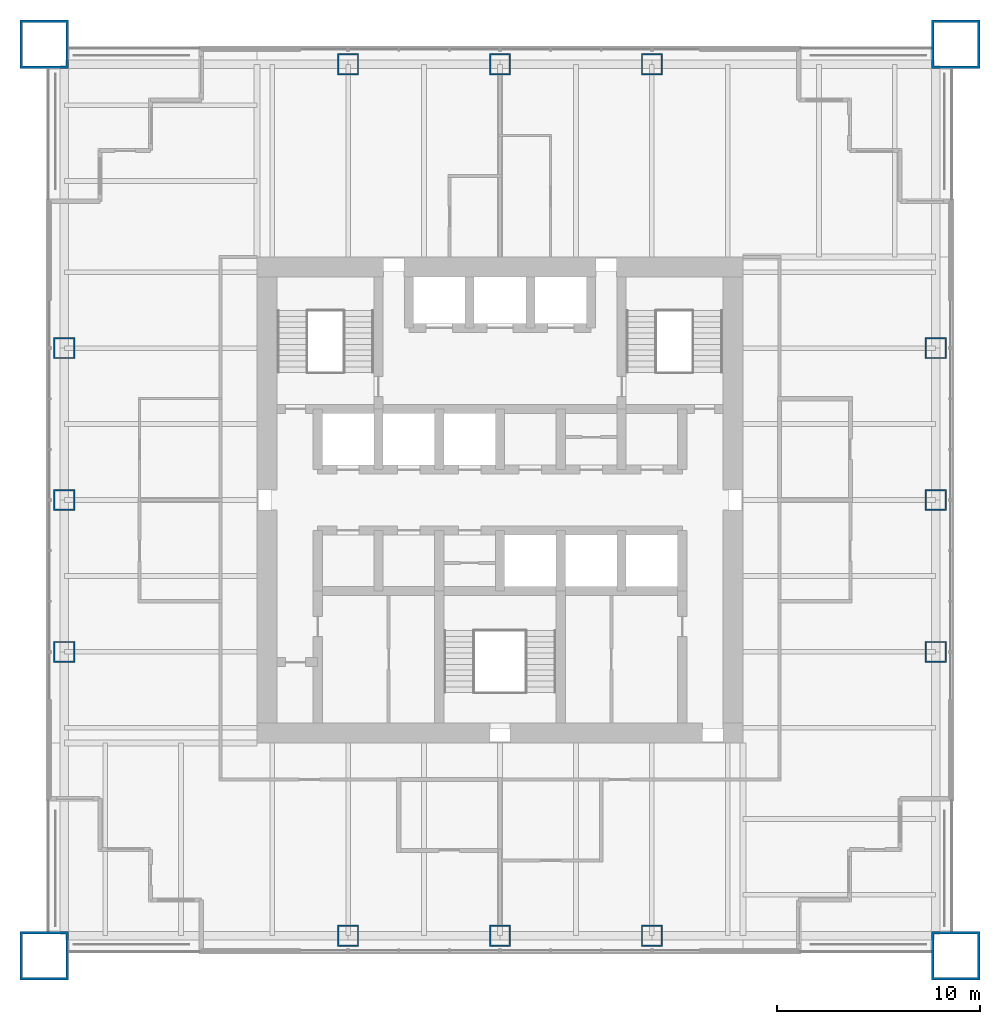
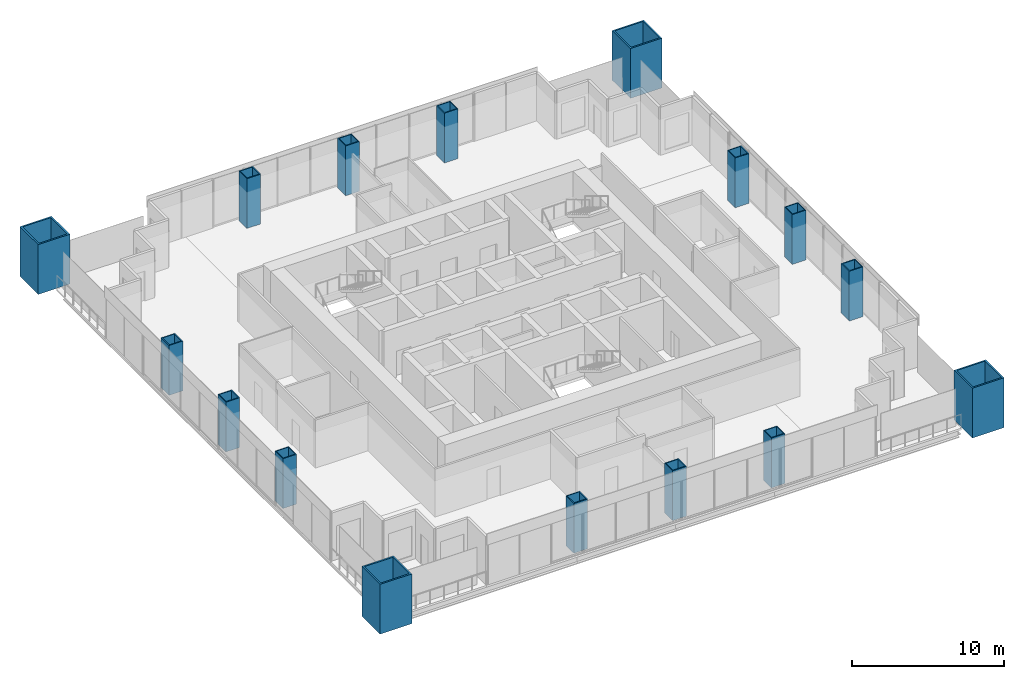
# One storey, part 1 of 13: 16 columns.
"""IFC4 building model written with IfcOpenShell, lengths in metres."""

import ifcopenshell
import ifcopenshell.guid

model = None  # the IFC model being written
_history = None  # IfcOwnerHistory: only IFC2X3 demands one
_inside = {}  # id of a spatial element -> (the spatial element, [elements in it])
_under = {}  # id of a project, library or spatial element -> (it, [spatial elements below it])
_declared = {}  # id of a project -> (the project, [libraries it declares])
_typed = {}  # id of a type object -> (the type object, [elements of that type])
_made_of = {}  # id of a material, layer set ... -> (it, [elements and type objects made of it])


def new_model(schema):
    """Start an empty IFC model of exactly this schema.

    Asked for "IFC4X3", IfcOpenShell would pick the latest addendum, in which some entities
    have other attributes; the version numbers below select the first issue.
    IFC2X3 requires an IfcOwnerHistory on every rooted entity: one is made here for all.
    """
    global model, _history
    if schema == "IFC4X3":
        model = ifcopenshell.file(schema_version=(4, 3, 0, 0))
    else:
        model = ifcopenshell.file(schema=schema)
    _inside.clear()
    _under.clear()
    _declared.clear()
    _typed.clear()
    _made_of.clear()
    _history = None
    if model.schema == "IFC2X3":
        org = make("IfcOrganization", Name="unknown")
        user = make(
            "IfcPersonAndOrganization",
            ThePerson=make("IfcPerson", FamilyName="unknown"),
            TheOrganization=org,
        )
        app = make(
            "IfcApplication",
            ApplicationDeveloper=org,
            Version="unknown",
            ApplicationFullName="unknown",
            ApplicationIdentifier="unknown",
        )
        _history = make(
            "IfcOwnerHistory",
            OwningUser=user,
            OwningApplication=app,
            ChangeAction="ADDED",
            CreationDate=0,
        )
    return model


def make(cls, **values):
    """One entity of the class cls with the attributes given. An attribute that is None is left unset."""
    return model.create_entity(
        cls, **{name: value for name, value in values.items() if value is not None}
    )


def rooted(cls, **values):
    """An entity with a GlobalId (a new one), such as an element, a storey or a relation."""
    return make(cls, GlobalId=ifcopenshell.guid.new(), OwnerHistory=_history, **values)


def si_unit(unit_type, name, prefix=None):
    """IfcSIUnit, for example si_unit("LENGTHUNIT", "METRE", prefix="MILLI")."""
    return make("IfcSIUnit", UnitType=unit_type, Prefix=prefix, Name=name)


def assignment(units):
    """IfcUnitAssignment: the units of a project."""
    return None if units is None else make("IfcUnitAssignment", Units=units)


def point(xyz):
    """IfcCartesianPoint."""
    return None if xyz is None else make("IfcCartesianPoint", Coordinates=xyz)


def direction(xyz):
    """IfcDirection."""
    return None if xyz is None else make("IfcDirection", DirectionRatios=xyz)


def frame(location, z_axis=None, x_axis=None):
    """IfcAxis2Placement3D, a coordinate frame: its origin and axes. An axis left out is left unset."""
    return make(
        "IfcAxis2Placement3D",
        Location=point(location),
        Axis=direction(z_axis),
        RefDirection=direction(x_axis),
    )


def frame_2d(location, x_axis=None):
    """IfcAxis2Placement2D, a coordinate frame in the plane: its origin and x axis."""
    return make(
        "IfcAxis2Placement2D", Location=point(location), RefDirection=direction(x_axis)
    )


def origin():
    """The frame at (0, 0, 0) with its axes left unset."""
    return frame((0.0, 0.0, 0.0))


def origin_2d():
    """The frame at (0, 0) in the plane with its x axis left unset."""
    return frame_2d((0.0, 0.0))


def place(relative_to, where):
    """IfcLocalPlacement: puts the frame where relative to a parent placement (None: the world)."""
    return make(
        "IfcLocalPlacement", PlacementRelTo=relative_to, RelativePlacement=where
    )


def context(
    kind, dimensions, precision=None, world=None, true_north=None, identifier=None
):
    """IfcGeometricRepresentationContext, for example the 3D "Model" context."""
    return make(
        "IfcGeometricRepresentationContext",
        ContextIdentifier=identifier,
        ContextType=kind,
        CoordinateSpaceDimension=dimensions,
        Precision=precision,
        WorldCoordinateSystem=world,
        TrueNorth=true_north,
    )


def subcontext(parent, identifier, kind, view, scale=None):
    """IfcGeometricRepresentationSubContext, for example "Body" below "Model"."""
    return make(
        "IfcGeometricRepresentationSubContext",
        ContextIdentifier=identifier,
        ContextType=kind,
        ParentContext=parent,
        TargetScale=scale,
        TargetView=view,
    )


def project(units=None, contexts=None):
    """IfcProject with its units and contexts."""
    return rooted(
        "IfcProject",
        Name="project",
        RepresentationContexts=contexts,
        UnitsInContext=assignment(units),
    )


def spatial(cls, under=None, at=None, **own):
    """A site, building, storey or space (cls), placed at a placement, below another one or the project."""
    s = rooted(cls, ObjectPlacement=at, **own)
    if under is not None:
        _under.setdefault(under.id(), (under, []))[1].append(s)
    return s


def profile(cls, at=None, kind="AREA", **sizes):
    """A parametric profile (cls). Its sizes go by their IFC names, for example OverallWidth=200.0."""
    return make(cls, ProfileType=kind, Position=at, **sizes)


def hollow_rectangle(**sizes):
    """IfcRectangleHollowProfileDef."""
    return profile("IfcRectangleHollowProfileDef", **sizes)


def extrude(swept, where, along, depth):
    """IfcExtrudedAreaSolid: the profile swept, set in the frame where, extruded along a direction by depth."""
    return make(
        "IfcExtrudedAreaSolid",
        SweptArea=swept,
        Position=where,
        ExtrudedDirection=direction(along),
        Depth=depth,
    )


def shape(context_of_items, identifier, shape_type, items):
    """IfcShapeRepresentation: the items that make up one representation, for example the "Body"."""
    return make(
        "IfcShapeRepresentation",
        ContextOfItems=context_of_items,
        RepresentationIdentifier=identifier,
        RepresentationType=shape_type,
        Items=items,
    )


def material(Name=None, Category=None):
    """IfcMaterial."""
    return make("IfcMaterial", Name=Name, Category=Category)


def material_profile(
    of_material, cross_section, Name=None, Category=None, Priority=None
):
    """IfcMaterialProfile: a cross section and its material."""
    return make(
        "IfcMaterialProfile",
        Name=Name,
        Material=of_material,
        Profile=cross_section,
        Priority=Priority,
        Category=Category,
    )


def profile_set(profiles, Name=None, composite=None):
    """IfcMaterialProfileSet."""
    return make(
        "IfcMaterialProfileSet",
        Name=Name,
        MaterialProfiles=profiles,
        CompositeProfile=composite,
    )


def made_of(thing, what):
    """Note that an element or type object is made of a material, layer set ...; save() writes the relation."""
    if what is not None:
        _made_of.setdefault(what.id(), (what, []))[1].append(thing)
    return thing


def type_object(cls, material=None, **own):
    """A type object (cls), such as IfcWallType, which elements share."""
    return made_of(rooted(cls, **own), material)


def element(
    cls,
    number,
    at=None,
    inside=None,
    cuts=None,
    type_object=None,
    material=None,
    context=None,
    identifier="Body",
    shape_type=None,
    held_by="IfcProductDefinitionShape",
    body=None,
    shapes=None,
    **own,
):
    """One element of the class cls, such as IfcWall. Its Tag is "e" and its number.

    at: its placement. inside: the storey or other place that contains it. cuts: it is an
    opening in that element (IfcRelVoidsElement). A single representation is given by context,
    identifier, shape_type and body (its items); several are given by shapes. held_by: the class
    of the entity that holds the representations. save() writes the other relations.
    """
    e = rooted(cls, Tag="e%d" % number, ObjectPlacement=at, **own)
    if body is not None:
        shapes = [shape(context, identifier, shape_type, body)]
    if shapes is not None:
        e.Representation = make(held_by, Representations=shapes)
    if inside is not None:
        _inside.setdefault(inside.id(), (inside, []))[1].append(e)
    if cuts is not None:
        rooted(
            "IfcRelVoidsElement", RelatingBuildingElement=cuts, RelatedOpeningElement=e
        )
    if type_object is not None:
        _typed.setdefault(type_object.id(), (type_object, []))[1].append(e)
    return made_of(e, material)


def aggregate(whole, parts):
    """IfcRelAggregates: a whole, such as a stair, and the parts it consists of."""
    return rooted("IfcRelAggregates", RelatingObject=whole, RelatedObjects=parts)


def save(model, path):
    """Write the relations noted so far, then the file.

    IfcRelAggregates (storeys below a building ...), IfcRelContainedInSpatialStructure (elements
    in a storey), IfcRelDefinesByType, IfcRelAssociatesMaterial and IfcRelDeclares: one each for
    every whole, place, type object, material and project.
    """
    for whole, parts in _under.values():
        aggregate(whole, parts)
    for where, things in _inside.values():
        rooted(
            "IfcRelContainedInSpatialStructure",
            RelatedElements=things,
            RelatingStructure=where,
        )
    for kind, things in _typed.values():
        rooted("IfcRelDefinesByType", RelatedObjects=things, RelatingType=kind)
    for what, things in _made_of.values():
        rooted("IfcRelAssociatesMaterial", RelatedObjects=things, RelatingMaterial=what)
    for by, libraries in _declared.values():
        rooted("IfcRelDeclares", RelatingContext=by, RelatedDefinitions=libraries)
    model.write(path)


model = new_model("IFC4")

# Units and contexts
model_context = context("Model", 3, precision=1e-05, world=origin(), true_north=direction((0.0, 1.0)))
body_context = subcontext(model_context, "Body", "Model", "MODEL_VIEW")
ifc_project = project(units=[si_unit("LENGTHUNIT", "METRE"), si_unit("AREAUNIT", "SQUARE_METRE"), si_unit("VOLUMEUNIT", "CUBIC_METRE"), si_unit("PLANEANGLEUNIT", "RADIAN"), si_unit("MASSUNIT", "GRAM", prefix="KILO")], contexts=[model_context])

# Site, building, storey
site_placement = place(None, origin())
site = spatial("IfcSite", under=ifc_project, at=site_placement, CompositionType="ELEMENT")
building_placement = place(site_placement, origin())
building = spatial("IfcBuilding", under=site, at=building_placement, Name="Tarangal Relay Tower", CompositionType="ELEMENT")
storey_placement = place(building_placement, frame((0.0, 0.0, 221.89990234375)))
storey = spatial("IfcBuildingStorey", under=building, at=storey_placement, Name="L47", CompositionType="ELEMENT", Elevation=221.89990234375)

# Columns
ifc_material_1 = material(Name="Steel ASTM A572 Grade 42", Category="steel")
ifc_material_profile_1 = material_profile(ifc_material_1, hollow_rectangle(XDim=2.39990234375, YDim=2.39990234375, WallThickness=0.1201171875, at=origin_2d()), Name="BOX2400X2400X120")
ifc_profile_set_1 = profile_set([ifc_material_profile_1], Name="Steel ASTM A572 Grade 42")
column_type_1 = type_object("IfcColumnType", Name="Mega column BOX2400X2400X120", PredefinedType="COLUMN", material=ifc_profile_set_1)
for number, where, z_axis, x_axis, name in (
    (1, (22.5, 22.5, 0.0), (0.0, 0.0, 1.0), (1.0, 0.0, 0.0), "Mega column MC3 NE L47"),
    (2, (22.5, -22.5, 0.0), (0.0, 0.0, 1.0), (1.0, 0.0, 0.0), "Mega column MC3 SE L47"),
    (3, (-22.5, -22.5, 0.0), (0.0, 0.0, 1.0), (1.0, 0.0, 0.0), "Mega column MC3 SW L47"),
    (4, (-22.5, 22.5, 0.0), (0.0, 0.0, 1.0), (1.0, 0.0, 0.0), "Mega column MC3 NW L47"),
):
    element("IfcColumn", number, at=place(storey_placement, frame(where, z_axis=z_axis, x_axis=x_axis)), inside=storey, type_object=column_type_1, Name=name, PredefinedType="COLUMN", context=body_context, shape_type="SweptSolid", body=[
        extrude(hollow_rectangle(XDim=2.39990234375, YDim=2.39990234375, WallThickness=0.1201171875, at=origin_2d()), origin(), (0.0, 0.0, 1.0), 4.0),
    ])
ifc_material_2 = material(Name="Steel ASTM A572 Grade 50", Category="steel")
ifc_material_profile_2 = material_profile(ifc_material_2, hollow_rectangle(XDim=1.050048828125, YDim=1.050048828125, WallThickness=0.070068359375, at=origin_2d()), Name="BOX1050X1050X70")
ifc_profile_set_2 = profile_set([ifc_material_profile_2], Name="Steel ASTM A572 Grade 50")
column_type_2 = type_object("IfcColumnType", Name="Perimeter column BOX1050X1050X70", PredefinedType="COLUMN", material=ifc_profile_set_2)
for number, where, z_axis, x_axis, name in (
    (5, (-7.5, 21.514892578125, 0.0), (0.0, 0.0, 1.0), (1.0, 0.0, 0.0), "Perimeter column PC4 N L47"),
    (6, (0.0, 21.514892578125, 0.0), (0.0, 0.0, 1.0), (1.0, 0.0, 0.0), "Perimeter column PC4 N L47"),
    (7, (7.5, 21.514892578125, 0.0), (0.0, 0.0, 1.0), (1.0, 0.0, 0.0), "Perimeter column PC4 N L47"),
    (8, (21.514892578125, 7.5, 0.0), (0.0, 0.0, 1.0), (1.0, 0.0, 0.0), "Perimeter column PC4 E L47"),
    (9, (21.514892578125, 0.0, 0.0), (0.0, 0.0, 1.0), (1.0, 0.0, 0.0), "Perimeter column PC4 E L47"),
    (10, (21.514892578125, -7.5, 0.0), (0.0, 0.0, 1.0), (1.0, 0.0, 0.0), "Perimeter column PC4 E L47"),
    (11, (7.5, -21.514892578125, 0.0), (0.0, 0.0, 1.0), (1.0, 0.0, 0.0), "Perimeter column PC4 S L47"),
    (12, (0.0, -21.514892578125, 0.0), (0.0, 0.0, 1.0), (1.0, 0.0, 0.0), "Perimeter column PC4 S L47"),
    (13, (-7.5, -21.514892578125, 0.0), (0.0, 0.0, 1.0), (1.0, 0.0, 0.0), "Perimeter column PC4 S L47"),
    (14, (-21.514892578125, -7.5, 0.0), (0.0, 0.0, 1.0), (1.0, 0.0, 0.0), "Perimeter column PC4 W L47"),
    (15, (-21.514892578125, 0.0, 0.0), (0.0, 0.0, 1.0), (1.0, 0.0, 0.0), "Perimeter column PC4 W L47"),
    (16, (-21.514892578125, 7.5, 0.0), (0.0, 0.0, 1.0), (1.0, 0.0, 0.0), "Perimeter column PC4 W L47"),
):
    element("IfcColumn", number, at=place(storey_placement, frame(where, z_axis=z_axis, x_axis=x_axis)), inside=storey, type_object=column_type_2, Name=name, PredefinedType="COLUMN", context=body_context, shape_type="SweptSolid", body=[
        extrude(hollow_rectangle(XDim=1.050048828125, YDim=1.050048828125, WallThickness=0.070068359375, at=origin_2d()), origin(), (0.0, 0.0, 1.0), 4.0),
    ])

save(model, "model.ifc")
